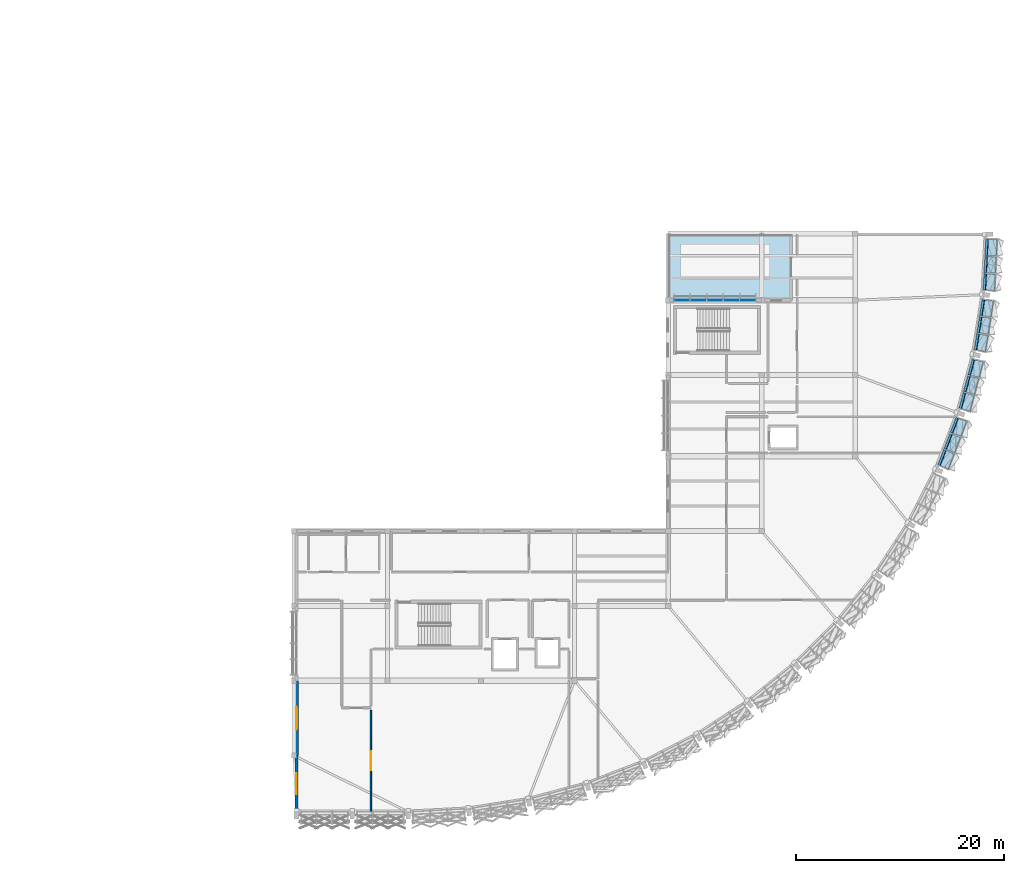
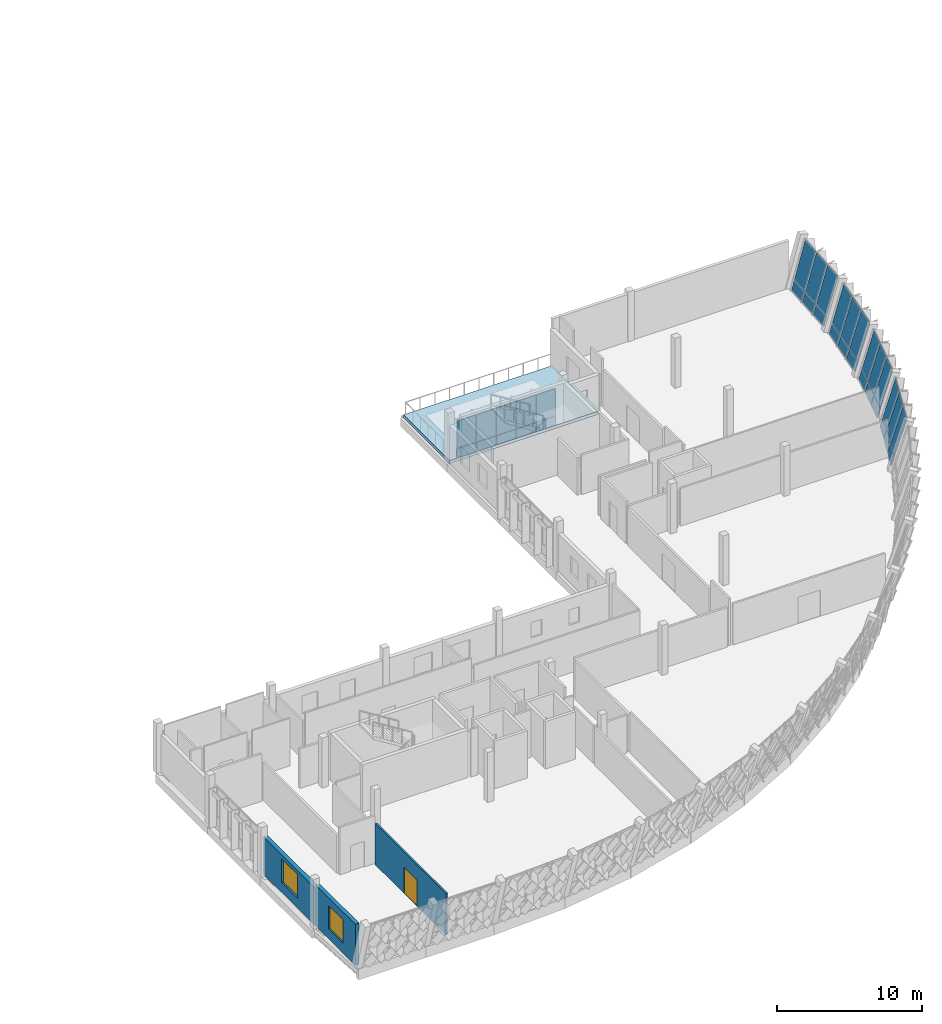
# One storey, part 18 of 24: 34 plates, 3 walls, 2 windows, 1 door, 1 slab, 3 openings, 5 elements without a shape of their own.
"""IFC4 building model written with IfcOpenShell, lengths in metres."""

from ifc_helpers import new_model, si_unit, direction, frame, frame_2d, origin, origin_2d, place, context, subcontext, project, spatial, polyline, rectangle, outline, extrude, material, layer, layer_set, type_object, element, fill, aggregate, save


model = new_model("IFC4")

# Units and contexts
model_context = context("Model", 3, precision=1e-05, world=origin(), true_north=direction((0.0, 1.0)))
body_context = subcontext(model_context, "Body", "Model", "MODEL_VIEW")
ifc_project = project(units=[si_unit("LENGTHUNIT", "METRE"), si_unit("AREAUNIT", "SQUARE_METRE"), si_unit("VOLUMEUNIT", "CUBIC_METRE"), si_unit("PLANEANGLEUNIT", "RADIAN"), si_unit("MASSUNIT", "GRAM", prefix="KILO")], contexts=[model_context])

# Site, building, storey
site_placement = place(None, origin())
site = spatial("IfcSite", under=ifc_project, at=site_placement, CompositionType="ELEMENT")
building_placement = place(site_placement, origin())
building = spatial("IfcBuilding", under=site, at=building_placement, Name="Chiffa Square Polytechnic", CompositionType="ELEMENT")
storey_placement = place(building_placement, frame((0.0, 0.0, 22.199951171875)))
storey = spatial("IfcBuildingStorey", under=building, at=storey_placement, Name="L05", CompositionType="ELEMENT", Elevation=22.199951171875)

# Curtain wall, plates
ifc_material_1 = material(Name="Aluminium EN AW-6060 T66 and glulam shading", Category="wood")
curtain_wall_type_1 = type_object("IfcCurtainWallType", Name="CW-PROW-LEAN-300", PredefinedType="USERDEFINED", material=ifc_material_1)
curtain_wall_1_placement = place(storey_placement, origin())
curtain_wall_1 = element("IfcCurtainWall", 1, at=curtain_wall_1_placement, inside=storey, type_object=curtain_wall_type_1, Name="Outward-leaning diamond-fin prow curtain wall CW-V1-L05-093", ObjectType="CURTAIN WALL", PredefinedType="USERDEFINED")
ifc_material_2 = material(Name="Double glazing", Category="glass")
ifc_layer_1 = layer(ifc_material_2, 0.0458984375, Name="Double glazing")
ifc_layer_set_1 = layer_set([ifc_layer_1], Name="Double glazing")
plate_type_1 = type_object("IfcPlateType", Name="CWP-GLZ-128X106", PredefinedType="CURTAIN_PANEL", material=ifc_layer_set_1)
plate_1_placement = place(storey_placement, frame((177.87060546875, 46.2294921875, 0.8779296875), z_axis=(-0.950444581347, 0.15063878032, 0.271961496635), x_axis=(0.156538512354, 0.9876718555, -1.848901e-06)))
plate_1 = element("IfcPlate", 2, at=plate_1_placement, type_object=plate_type_1, Name="Leaning prow curtain panel CW-V1-L05-093-PN01", PredefinedType="CURTAIN_PANEL", context=body_context, shape_type="SweptSolid", body=[
    extrude(outline(polyline([(0.0, 0.0), (1.540968358738284, -1.3877787807814457e-17), (1.524890400988558, -3.176874036806173), (-0.044013654257015644, -3.176868061747958), (0.0, 0.0)])), origin(), (0.0, 0.0, -1.0), 0.0458984375),
])
plate_2_placement = place(storey_placement, frame((178.130615234375, 47.86962890625, 0.8779296875), z_axis=(-0.950453043267, 0.150564574774, 0.271973015882), x_axis=(0.156456161887, 0.987684903651, -2.2510783e-05)))
plate_2 = element("IfcPlate", 3, at=plate_2_placement, type_object=plate_type_1, Name="Leaning prow curtain panel CW-V1-L05-093-PN02", PredefinedType="CURTAIN_PANEL", context=body_context, shape_type="SweptSolid", body=[
    extrude(outline(polyline([(0.0, 0.0), (1.5409301565295968, 1.3877787807814457e-17), (1.5548992898972505, -3.1769182286232747), (-0.014004758524060246, -3.176845481612743), (0.0, 0.0)])), origin(), (0.0, 0.0, -1.0), 0.0458984375),
])
plate_3_placement = place(storey_placement, frame((178.390380859375, 49.509765625, 0.8779296875), z_axis=(-0.950459713266, 0.150553664643, 0.27195574552), x_axis=(0.156454548585, 0.987685159348, 1.5168399e-05)))
plate_3 = element("IfcPlate", 4, at=plate_3_placement, type_object=plate_type_1, Name="Leaning prow curtain panel CW-V1-L05-093-PN03", PredefinedType="CURTAIN_PANEL", context=body_context, shape_type="SweptSolid", body=[
    extrude(outline(polyline([(0.0, 0.0), (1.5412094879245526, 0.0), (1.58515716698803, -3.1768407556830933), (0.016291315495859805, -3.176889778218799), (0.0, 0.0)])), origin(), (0.0, 0.0, -1.0), 0.0458984375),
])

curtain_wall_type_2 = type_object("IfcCurtainWallType", Name="CW-PROW-LEAN-150", PredefinedType="USERDEFINED", material=ifc_material_1)
curtain_wall_2_placement = place(storey_placement, origin())
curtain_wall_2 = element("IfcCurtainWall", 5, at=curtain_wall_2_placement, inside=storey, type_object=curtain_wall_type_2, Name="Outward-leaning diamond-fin prow curtain wall CW-V1-L05-092", ObjectType="CURTAIN WALL", PredefinedType="USERDEFINED")
ifc_layer_2 = layer(ifc_material_2, 0.0458984375, Name="Double glazing")
ifc_layer_set_2 = layer_set([ifc_layer_2], Name="Double glazing")
plate_type_2 = type_object("IfcPlateType", Name="CWP-GLZ-130X110", PredefinedType="CURTAIN_PANEL", material=ifc_layer_set_2)
plate_4_placement = place(storey_placement, frame((176.40869140625, 40.574951171875, 0.8779296875), z_axis=(-0.92952683329, 0.249051872304, 0.271943065907), x_axis=(0.258803965207, 0.965929866795, -5.190858e-06)))
plate_4 = element("IfcPlate", 6, at=plate_4_placement, type_object=plate_type_2, Name="Leaning prow curtain panel CW-V1-L05-092-PN01", PredefinedType="CURTAIN_PANEL", context=body_context, shape_type="SweptSolid", body=[
    extrude(outline(polyline([(0.0, 0.0), (1.5415263517406312, 1.3877787807814457e-17), (1.5252949104048306, -3.176862139676601), (-0.04430330026412856, -3.176845357819165), (0.0, 0.0)])), origin(), (0.0, 0.0, -1.0), 0.0458984375),
])
plate_5_placement = place(storey_placement, frame((176.838623046875, 42.179443359375, 0.8779296875), z_axis=(-0.929481794347, 0.249231325371, 0.271932602736), x_axis=(0.258989775411, 0.965880063057, -4.733155e-06)))
plate_5 = element("IfcPlate", 7, at=plate_5_placement, type_object=plate_type_2, Name="Leaning prow curtain panel CW-V1-L05-092-PN02", PredefinedType="CURTAIN_PANEL", context=body_context, shape_type="SweptSolid", body=[
    extrude(outline(polyline([(0.0, 0.0), (1.5413537371376778, 1.3877787807814457e-17), (1.5556105184350895, -3.176851802259866), (-0.013815088883645061, -3.1768365018855027), (0.0, 0.0)])), origin(), (0.0, 0.0, -1.0), 0.0458984375),
])
plate_6_placement = place(storey_placement, frame((177.2685546875, 43.78369140625, 0.8779296875), z_axis=(-0.929478168735, 0.249134585526, 0.27203362318), x_axis=(0.25888993261, 0.965906828774, -3.0352781e-05)))
plate_6 = element("IfcPlate", 8, at=plate_6_placement, type_object=plate_type_2, Name="Leaning prow curtain panel CW-V1-L05-092-PN03", PredefinedType="CURTAIN_PANEL", context=body_context, shape_type="SweptSolid", body=[
    extrude(outline(polyline([(0.0, 0.0), (1.5415263424258472, 0.0), (1.5858267229718797, -3.17698843389467), (0.016401127841923286, -3.176890307276314), (0.0, 0.0)])), origin(), (0.0, 0.0, -1.0), 0.0458984375),
])

curtain_wall_3_placement = place(storey_placement, origin())
curtain_wall_3 = element("IfcCurtainWall", 9, at=curtain_wall_3_placement, inside=storey, type_object=curtain_wall_type_1, Name="Outward-leaning diamond-fin prow curtain wall CW-V1-L05-091", ObjectType="CURTAIN WALL", PredefinedType="USERDEFINED")
ifc_layer_3 = layer(ifc_material_2, 0.0439453125, Name="Double glazing")
ifc_layer_set_3 = layer_set([ifc_layer_3], Name="Double glazing")
plate_type_3 = type_object("IfcPlateType", Name="CWP-GLZ-132X114", PredefinedType="CURTAIN_PANEL", material=ifc_layer_set_3)
plate_7_placement = place(storey_placement, frame((174.3642578125, 35.104736328125, 0.8779296875), z_axis=(-0.898458506307, 0.344823194066, 0.271789030828), x_axis=(0.358306389313, 0.933604054753, -1.8061104e-05)))
plate_7 = element("IfcPlate", 10, at=plate_7_placement, type_object=plate_type_3, Name="Leaning prow curtain panel CW-V1-L05-091-PN01", PredefinedType="CURTAIN_PANEL", context=body_context, shape_type="SweptSolid", body=[
    extrude(outline(polyline([(0.0, 0.0), (1.541524647313245, -2.7755575615628914e-17), (1.5250717152323134, -3.1767388831843753), (-0.044515554690726114, -3.176680495158325), (0.0, 0.0)])), origin(), (0.0, 0.0, -1.0), 0.0439453125),
])
plate_8_placement = place(storey_placement, frame((174.95947265625, 36.655517578125, 0.8779296875), z_axis=(-0.898430702524, 0.344870499178, 0.271820918179), x_axis=(0.358358932134, 0.933583887735, -1.7931787e-05)))
plate_8 = element("IfcPlate", 11, at=plate_8_placement, type_object=plate_type_3, Name="Leaning prow curtain panel CW-V1-L05-091-PN02", PredefinedType="CURTAIN_PANEL", context=body_context, shape_type="SweptSolid", body=[
    extrude(outline(polyline([(0.0, 0.0), (1.541296713573406, 0.0), (1.5552692111156092, -3.1767689706670086), (-0.01409013701279296, -3.1767110086501877), (0.0, 0.0)])), origin(), (0.0, 0.0, -1.0), 0.0439453125),
])
plate_9_placement = place(storey_placement, frame((175.554443359375, 38.206298828125, 0.8779296875), z_axis=(-0.898401106337, 0.344876679217, 0.271910882947), x_axis=(0.358369724024, 0.933579744594, -3.7238519e-05)))
plate_9 = element("IfcPlate", 12, at=plate_9_placement, type_object=plate_type_3, Name="Leaning prow curtain panel CW-V1-L05-091-PN03", PredefinedType="CURTAIN_PANEL", context=body_context, shape_type="SweptSolid", body=[
    extrude(outline(polyline([(0.0, 0.0), (1.5415246362607657, -2.7755575615628914e-17), (1.5856840991978318, -3.176885253012189), (0.016009333346100798, -3.176764860455057), (0.0, 0.0)])), origin(), (0.0, 0.0, -1.0), 0.0439453125),
])

curtain_wall_4_placement = place(storey_placement, origin())
curtain_wall_4 = element("IfcCurtainWall", 13, at=curtain_wall_4_placement, inside=storey, type_object=curtain_wall_type_2, Name="Outward-leaning diamond-fin prow curtain wall CW-V1-L05-094", ObjectType="CURTAIN WALL", PredefinedType="USERDEFINED")
ifc_layer_4 = layer(ifc_material_2, 0.035888671875, Name="Double glazing")
ifc_layer_set_4 = layer_set([ifc_layer_4], Name="Double glazing")
plate_type_4 = type_object("IfcPlateType", Name="CWP-GLZ-150X145", PredefinedType="CURTAIN_PANEL", material=ifc_layer_set_4)
plate_10_placement = place(storey_placement, frame((178.7333984375, 52.004638671875, 0.8779296875), z_axis=(-0.960949253896, 0.050369599399, 0.272101883297), x_axis=(0.052350654545, 0.998628764114, 2.1284783e-05)))
plate_10 = element("IfcPlate", 14, at=plate_10_placement, type_object=plate_type_4, Name="Leaning prow curtain panel CW-V1-L05-094-PN01", PredefinedType="CURTAIN_PANEL", context=body_context, shape_type="SweptSolid", body=[
    extrude(outline(polyline([(0.0, 0.0), (1.5414263731427185, -3.469446951953614e-18), (1.5251945839210772, -3.1769683931943256), (-0.04433336664982116, -3.1770372055799965), (0.0, 0.0)])), origin(), (0.0, 0.0, -1.0), 0.035888671875),
])
plate_11_placement = place(storey_placement, frame((178.820556640625, 53.663330078125, 0.8779296875), z_axis=(-0.96097325567, 0.050295338961, 0.272030845246), x_axis=(0.052266491128, 0.998633172844, 3.90458e-07)))
plate_11 = element("IfcPlate", 15, at=plate_11_placement, type_object=plate_type_4, Name="Leaning prow curtain panel CW-V1-L05-094-PN02", PredefinedType="CURTAIN_PANEL", context=body_context, shape_type="SweptSolid", body=[
    extrude(outline(polyline([(0.0, 0.0), (1.5414135978650791, 3.469446951953614e-18), (1.5553537074347523, -3.1769351879422185), (-0.014174249274042464, -3.176936450235629), (0.0, 0.0)])), origin(), (0.0, 0.0, -1.0), 0.035888671875),
])
plate_12_placement = place(storey_placement, frame((178.907470703125, 55.322021484375, 0.8779296875), z_axis=(-0.961008695294, 0.050376673983, 0.271890563071), x_axis=(0.05235444451, 0.99862856545, 2.0194668e-05)))
plate_12 = element("IfcPlate", 16, at=plate_12_placement, type_object=plate_type_4, Name="Leaning prow curtain panel CW-V1-L05-094-PN03", PredefinedType="CURTAIN_PANEL", context=body_context, shape_type="SweptSolid", body=[
    extrude(outline(polyline([(0.0, 0.0), (1.541426373606807, 3.469446951953614e-18), (1.5855423836800766, -3.1767716648743756), (0.016258239398508612, -3.1768369438172113), (0.0, 0.0)])), origin(), (0.0, 0.0, -1.0), 0.035888671875),
])

curtain_wall_type_3 = type_object("IfcCurtainWallType", Name="CW-VERT-300X380", PredefinedType="USERDEFINED", material=ifc_material_1)
curtain_wall_5_placement = place(storey_placement, origin())
curtain_wall_5 = element("IfcCurtainWall", 17, at=curtain_wall_5_placement, inside=storey, type_object=curtain_wall_type_3, Name="Curtain wall CW-V1-L05-139", ObjectType="CURTAIN WALL", PredefinedType="USERDEFINED")
ifc_layer_5 = layer(ifc_material_2, 0.035888671875, Name="Double glazing")
ifc_layer_set_5 = layer_set([ifc_layer_5], Name="Double glazing")
plate_type_5 = type_object("IfcPlateType", Name="CWP-GLZ-180X140", PredefinedType="CURTAIN_PANEL", material=ifc_layer_set_5)
plate_13_placement = place(storey_placement, frame((155.85693359375, 51.0, 0.840576171875), z_axis=(0.0, 0.0, 1.0), x_axis=(-1.0, 0.0, 0.0)))
plate_13 = element("IfcPlate", 18, at=plate_13_placement, type_object=plate_type_5, Name="Glazed curtain panel CW-V1-L05-139-PN01", PredefinedType="CURTAIN_PANEL", context=body_context, shape_type="SweptSolid", body=[
    extrude(rectangle(XDim=1.510009765625, YDim=0.035888671875, at=origin_2d()), origin(), (0.0, 0.0, 1.0), 2.27490234375),
])
plate_14_placement = place(storey_placement, frame((154.283935546875, 51.0, 0.840576171875), z_axis=(0.0, 0.0, 1.0), x_axis=(-1.0, 0.0, 0.0)))
plate_14 = element("IfcPlate", 19, at=plate_14_placement, type_object=plate_type_5, Name="Glazed curtain panel CW-V1-L05-139-PN02", PredefinedType="CURTAIN_PANEL", context=body_context, shape_type="SweptSolid", body=[
    extrude(rectangle(XDim=1.531982421875, YDim=0.035888671875, at=origin_2d()), origin(), (0.0, 0.0, 1.0), 2.27490234375),
])
plate_15_placement = place(storey_placement, frame((152.699951171875, 51.0, 0.840576171875), z_axis=(0.0, 0.0, 1.0), x_axis=(-1.0, 0.0, 0.0)))
plate_15 = element("IfcPlate", 20, at=plate_15_placement, type_object=plate_type_5, Name="Glazed curtain panel CW-V1-L05-139-PN03", PredefinedType="CURTAIN_PANEL", context=body_context, shape_type="SweptSolid", body=[
    extrude(rectangle(XDim=1.531982421875, YDim=0.035888671875, at=origin_2d()), origin(), (0.0, 0.0, 1.0), 2.27490234375),
])
plate_16_placement = place(storey_placement, frame((151.115966796875, 51.0, 0.840576171875), z_axis=(0.0, 0.0, 1.0), x_axis=(-1.0, 0.0, 0.0)))
plate_16 = element("IfcPlate", 21, at=plate_16_placement, type_object=plate_type_5, Name="Glazed curtain panel CW-V1-L05-139-PN04", PredefinedType="CURTAIN_PANEL", context=body_context, shape_type="SweptSolid", body=[
    extrude(rectangle(XDim=1.531982421875, YDim=0.035888671875, at=origin_2d()), origin(), (0.0, 0.0, 1.0), 2.27490234375),
])
plate_17_placement = place(storey_placement, frame((149.54296875, 51.0, 0.840576171875), z_axis=(0.0, 0.0, 1.0), x_axis=(-1.0, 0.0, 0.0)))
plate_17 = element("IfcPlate", 22, at=plate_17_placement, type_object=plate_type_5, Name="Glazed curtain panel CW-V1-L05-139-PN05", PredefinedType="CURTAIN_PANEL", context=body_context, shape_type="SweptSolid", body=[
    extrude(rectangle(XDim=1.510009765625, YDim=0.035888671875, at=origin_2d()), origin(), (0.0, 0.0, 1.0), 2.27490234375),
])

# Plate
ifc_material_3 = material(Name="Aluminium insulated spandrel", Category="aluminium")
ifc_layer_6 = layer(ifc_material_3, 0.072021484375, Name="Aluminium insulated spandrel")
ifc_layer_set_6 = layer_set([ifc_layer_6], Name="Aluminium insulated spandrel")
plate_type_6 = type_object("IfcPlateType", Name="CWP-SPN-136X072", PredefinedType="SHEET", material=ifc_layer_set_6)
plate_18_placement = place(storey_placement, frame((177.64111328125, 46.27783203125, 0.050048828125), z_axis=(-0.950415731213, 0.150697099136, 0.272030002343), x_axis=(0.156606219844, 0.987661121921, 1.2310931e-05)))
plate_18 = element("IfcPlate", 23, at=plate_18_placement, type_object=plate_type_6, Name="Leaning prow curtain panel CW-V1-L05-093-SP01", PredefinedType="SHEET", context=body_context, shape_type="SweptSolid", body=[
    extrude(outline(polyline([(0.0, 0.0), (1.5335815724427557, 0.0), (1.5296209439287602, -0.8022059998229472), (-0.011106282179788816, -0.8022453306399386), (0.0, 0.0)])), origin(), (0.0, 0.0, -1.0), 0.072021484375),
])

plate_19_placement = place(storey_placement, frame((177.89990234375, 47.909912109375, 0.050048828125), z_axis=(-0.950374064161, 0.150626188522, 0.272214785604), x_axis=(0.156534358534, 0.987672513774, -1.1578199e-05)))
plate_19 = element("IfcPlate", 24, at=plate_19_placement, type_object=plate_type_6, Name="Leaning prow curtain panel CW-V1-L05-093-SP02", PredefinedType="SHEET", context=body_context, shape_type="SweptSolid", body=[
    extrude(outline(polyline([(0.0, 0.0), (1.533543347141527, 1.3877787807814457e-17), (1.5370116319711158, -0.8022876291044608), (-0.0034744647256689637, -0.802250640565051), (0.0, 0.0)])), origin(), (0.0, 0.0, -1.0), 0.072021484375),
])

plate_20_placement = place(storey_placement, frame((178.15869140625, 49.5419921875, 0.050048828125), z_axis=(-0.950448730221, 0.15061380023, 0.271960832478), x_axis=(0.156509806732, 0.98767640463, -1.1581167e-05)))
plate_20 = element("IfcPlate", 25, at=plate_20_placement, type_object=plate_type_6, Name="Leaning prow curtain panel CW-V1-L05-093-SP03", PredefinedType="SHEET", context=body_context, shape_type="SweptSolid", body=[
    extrude(outline(polyline([(0.0, 0.0), (1.5337844801625746, -1.3877787807814457e-17), (1.5448752638298258, -0.802227862452442), (0.004148037484805686, -0.8021908613863162), (0.0, 0.0)])), origin(), (0.0, 0.0, -1.0), 0.072021484375),
])

aggregate(curtain_wall_1, [plate_18, plate_1, plate_19, plate_2, plate_20, plate_3])

ifc_layer_7 = layer(ifc_material_3, 0.070068359375, Name="Aluminium insulated spandrel")
ifc_layer_set_7 = layer_set([ifc_layer_7], Name="Aluminium insulated spandrel")
plate_type_7 = type_object("IfcPlateType", Name="CWP-SPN-138X074", PredefinedType="SHEET", material=ifc_layer_set_7)
plate_21_placement = place(storey_placement, frame((176.185791015625, 40.647216796875, 0.050048828125), z_axis=(-0.929501387726, 0.249110039789, 0.271976760573), x_axis=(0.258876650764, 0.965910388584, 3.0262889e-05)))
plate_21 = element("IfcPlate", 26, at=plate_21_placement, type_object=plate_type_7, Name="Leaning prow curtain panel CW-V1-L05-092-SP01", PredefinedType="SHEET", context=body_context, shape_type="SweptSolid", body=[
    extrude(outline(polyline([(0.0, 0.0), (1.5337735714641638, 0.0), (1.5295416577047993, -0.8021649216753303), (-0.01121403065021414, -0.8022616106169984), (0.0, 0.0)])), origin(), (0.0, 0.0, -1.0), 0.070068359375),
])

plate_22_placement = place(storey_placement, frame((176.61376953125, 42.24365234375, 0.050048828125), z_axis=(-0.929501389168, 0.249013154731, 0.272065463272), x_axis=(0.258767685278, 0.965939586331, -2.4776147e-05)))
plate_22 = element("IfcPlate", 27, at=plate_22_placement, type_object=plate_type_7, Name="Leaning prow curtain panel CW-V1-L05-092-SP02", PredefinedType="SHEET", context=body_context, shape_type="SweptSolid", body=[
    extrude(outline(polyline([(0.0, 0.0), (1.5336471920008476, -4.163336342344337e-17), (1.5372905314567025, -0.8022735079586134), (-0.0037641696191237817, -0.8021943424715383), (0.0, 0.0)])), origin(), (0.0, 0.0, -1.0), 0.070068359375),
])

plate_23_placement = place(storey_placement, frame((177.04150390625, 43.840087890625, 0.050048828125), z_axis=(-0.929509028071, 0.24903567268, 0.272018750213), x_axis=(0.25879705814, 0.965931717357, 1.0098509e-05)))
plate_23 = element("IfcPlate", 28, at=plate_23_placement, type_object=plate_type_7, Name="Leaning prow curtain panel CW-V1-L05-092-SP03", PredefinedType="SHEET", context=body_context, shape_type="SweptSolid", body=[
    extrude(outline(polyline([(0.0, 0.0), (1.5337103704730155, -1.3877787807814457e-17), (1.5449042489429574, -0.8022067045468149), (0.004148549492164925, -0.8022389686887934), (0.0, 0.0)])), origin(), (0.0, 0.0, -1.0), 0.070068359375),
])

aggregate(curtain_wall_2, [plate_21, plate_4, plate_22, plate_5, plate_23, plate_6])

ifc_layer_8 = layer(ifc_material_3, 0.068115234375, Name="Aluminium insulated spandrel")
ifc_layer_set_8 = layer_set([ifc_layer_8], Name="Aluminium insulated spandrel")
plate_type_8 = type_object("IfcPlateType", Name="CWP-SPN-140X076", PredefinedType="SHEET", material=ifc_layer_set_8)
plate_24_placement = place(storey_placement, frame((174.150146484375, 35.19970703125, 0.050048828125), z_axis=(-0.898451649392, 0.344817781589, 0.271818563027), x_axis=(0.358305365038, 0.93360444795, -1.2392161e-05)))
plate_24 = element("IfcPlate", 29, at=plate_24_placement, type_object=plate_type_8, Name="Leaning prow curtain panel CW-V1-L05-091-SP01", PredefinedType="SHEET", context=body_context, shape_type="SweptSolid", body=[
    extrude(outline(polyline([(0.0, 0.0), (1.5339524092708348, 0.0), (1.529788972681001, -0.8021954622553815), (-0.011279813325688122, -0.8021558652109549), (0.0, 0.0)])), origin(), (0.0, 0.0, -1.0), 0.068115234375),
])

plate_25_placement = place(storey_placement, frame((174.742431640625, 36.742919921875, 0.050048828125), z_axis=(-0.898467668623, 0.344882588117, 0.271683361385), x_axis=(0.358358502245, 0.933584052839, -1.2353812e-05)))
plate_25 = element("IfcPlate", 30, at=plate_25_placement, type_object=plate_type_8, Name="Leaning prow curtain panel CW-V1-L05-091-SP02", PredefinedType="SHEET", context=body_context, shape_type="SweptSolid", body=[
    extrude(outline(polyline([(0.0, 0.0), (1.533724477162299, -2.7755575615628914e-17), (1.5373736471969732, -0.8021636755457846), (-0.0034672149632164525, -0.8021242084568493), (0.0, 0.0)])), origin(), (0.0, 0.0, -1.0), 0.068115234375),
])

plate_26_placement = place(storey_placement, frame((175.334716796875, 38.2861328125, 0.050048828125), z_axis=(-0.898454626936, 0.344695426272, 0.271963869741), x_axis=(0.35819544882, 0.933646625024, -5.011919e-06)))
plate_26 = element("IfcPlate", 31, at=plate_26_placement, type_object=plate_type_8, Name="Leaning prow curtain panel CW-V1-L05-091-SP03", PredefinedType="SHEET", context=body_context, shape_type="SweptSolid", body=[
    extrude(outline(polyline([(0.0, 0.0), (1.5336370155305947, 2.7755575615628914e-17), (1.5449134716163648, -0.802218032006881), (0.003932155441799373, -0.8022020186874512), (0.0, 0.0)])), origin(), (0.0, 0.0, -1.0), 0.068115234375),
])

aggregate(curtain_wall_3, [plate_24, plate_7, plate_25, plate_8, plate_26, plate_9])

plate_27_placement = place(storey_placement, frame((155.85693359375, 51.0, 0.050048828125), z_axis=(0.0, 0.0, 1.0), x_axis=(-1.0, 0.0, 0.0)))
plate_27 = element("IfcPlate", 32, at=plate_27_placement, type_object=plate_type_8, Name="Spandrel panel CW-V1-L05-139-SP01", PredefinedType="SHEET", context=body_context, shape_type="SweptSolid", body=[
    extrude(rectangle(XDim=1.510009765625, YDim=0.068115234375, at=origin_2d()), origin(), (0.0, 0.0, 1.0), 0.75),
])

plate_28_placement = place(storey_placement, frame((154.283935546875, 51.0, 0.050048828125), z_axis=(0.0, 0.0, 1.0), x_axis=(-1.0, 0.0, 0.0)))
plate_28 = element("IfcPlate", 33, at=plate_28_placement, type_object=plate_type_8, Name="Spandrel panel CW-V1-L05-139-SP02", PredefinedType="SHEET", context=body_context, shape_type="SweptSolid", body=[
    extrude(rectangle(XDim=1.531982421875, YDim=0.068115234375, at=origin_2d()), origin(), (0.0, 0.0, 1.0), 0.75),
])

plate_29_placement = place(storey_placement, frame((152.699951171875, 51.0, 0.050048828125), z_axis=(0.0, 0.0, 1.0), x_axis=(-1.0, 0.0, 0.0)))
plate_29 = element("IfcPlate", 34, at=plate_29_placement, type_object=plate_type_8, Name="Spandrel panel CW-V1-L05-139-SP03", PredefinedType="SHEET", context=body_context, shape_type="SweptSolid", body=[
    extrude(rectangle(XDim=1.531982421875, YDim=0.068115234375, at=origin_2d()), origin(), (0.0, 0.0, 1.0), 0.75),
])

plate_30_placement = place(storey_placement, frame((151.115966796875, 51.0, 0.050048828125), z_axis=(0.0, 0.0, 1.0), x_axis=(-1.0, 0.0, 0.0)))
plate_30 = element("IfcPlate", 35, at=plate_30_placement, type_object=plate_type_8, Name="Spandrel panel CW-V1-L05-139-SP04", PredefinedType="SHEET", context=body_context, shape_type="SweptSolid", body=[
    extrude(rectangle(XDim=1.531982421875, YDim=0.068115234375, at=origin_2d()), origin(), (0.0, 0.0, 1.0), 0.75),
])

plate_31_placement = place(storey_placement, frame((149.54296875, 51.0, 0.050048828125), z_axis=(0.0, 0.0, 1.0), x_axis=(-1.0, 0.0, 0.0)))
plate_31 = element("IfcPlate", 36, at=plate_31_placement, type_object=plate_type_8, Name="Spandrel panel CW-V1-L05-139-SP05", PredefinedType="SHEET", context=body_context, shape_type="SweptSolid", body=[
    extrude(rectangle(XDim=1.510009765625, YDim=0.068115234375, at=origin_2d()), origin(), (0.0, 0.0, 1.0), 0.75),
])

aggregate(curtain_wall_5, [plate_27, plate_13, plate_28, plate_14, plate_29, plate_15, plate_30, plate_16, plate_31, plate_17])

ifc_layer_9 = layer(ifc_material_3, 0.06005859375, Name="Aluminium insulated spandrel")
ifc_layer_set_9 = layer_set([ifc_layer_9], Name="Aluminium insulated spandrel")
plate_type_9 = type_object("IfcPlateType", Name="CWP-SPN-150X095", PredefinedType="SHEET", material=ifc_layer_set_9)
plate_32_placement = place(storey_placement, frame((178.500244140625, 52.02880859375, 0.050048828125), z_axis=(-0.960933418464, 0.050350252267, 0.272161381123), x_axis=(0.052328507465, 0.998629925042, 1.0813121e-05)))
plate_32 = element("IfcPlate", 37, at=plate_32_placement, type_object=plate_type_9, Name="Leaning prow curtain panel CW-V1-L05-094-SP01", PredefinedType="SHEET", context=body_context, shape_type="SweptSolid", body=[
    extrude(outline(polyline([(0.0, 0.0), (1.5338428292651443, 3.469446951953614e-18), (1.529887149204079, -0.8022393481965845), (-0.011038833462843668, -0.8022739003308264), (0.0, 0.0)])), origin(), (0.0, 0.0, -1.0), 0.06005859375),
])

plate_33_placement = place(storey_placement, frame((178.5869140625, 53.679443359375, 0.050048828125), z_axis=(-0.960935134489, 0.050426746344, 0.27214115925), x_axis=(0.052401826028, 0.998626080437, -9.951851e-06)))
plate_33 = element("IfcPlate", 38, at=plate_33_placement, type_object=plate_type_9, Name="Leaning prow curtain panel CW-V1-L05-094-SP02", PredefinedType="SHEET", context=body_context, shape_type="SweptSolid", body=[
    extrude(outline(polyline([(0.0, 0.0), (1.5338428294501611, 3.469446951953614e-18), (1.537226888059114, -0.8022676700009262), (-0.0037118788873222058, -0.8022358700168725), (0.0, 0.0)])), origin(), (0.0, 0.0, -1.0), 0.06005859375),
])

plate_34_placement = place(storey_placement, frame((178.673583984375, 55.329833984375, 0.050048828125), z_axis=(-0.960989101168, 0.050429578339, 0.271950004715), x_axis=(0.052401829975, 0.99862608023, -9.945419e-06)))
plate_34 = element("IfcPlate", 39, at=plate_34_placement, type_object=plate_type_9, Name="Leaning prow curtain panel CW-V1-L05-094-SP03", PredefinedType="SHEET", context=body_context, shape_type="SweptSolid", body=[
    extrude(outline(polyline([(0.0, 0.0), (1.5338428294500461, 3.469446951953614e-18), (1.545041453554636, -0.8022226871980014), (0.004102686607853441, -0.8021909095505585), (0.0, 0.0)])), origin(), (0.0, 0.0, -1.0), 0.06005859375),
])

aggregate(curtain_wall_4, [plate_32, plate_10, plate_33, plate_11, plate_34, plate_12])

# Slab
ifc_material_4 = material(Name="Concrete C40/50", Category="concrete")
ifc_layer_10 = layer(ifc_material_4, 0.260009765625, Name="Concrete C40/50")
ifc_layer_set_10 = layer_set([ifc_layer_10], Name="Concrete C40/50")
slab_type = type_object("IfcSlabType", Name="SLB-TERR-260", PredefinedType="FLOOR", material=ifc_layer_set_10)
slab_placement = place(storey_placement, frame((0.0, 0.0, -0.260009765625)))
element("IfcSlab", 40, at=slab_placement, inside=storey, type_object=slab_type, Name="Faculty courtyard planted terrace slab SLB-V1-TERR-L05-1", PredefinedType="FLOOR", context=body_context, shape_type="SweptSolid", body=[
    extrude(outline(polyline([(148.199951171875, 51.0), (160.0, 51.0), (160.0, 57.35009765625), (148.199951171875, 57.35009765625), (148.199951171875, 51.0)])), origin(), (0.0, 0.0, 1.0), 0.260009765625),
])

# Wall, opening, window
ifc_material_5 = material(Name="Precast concrete C40/50", Category="concrete")
ifc_layer_11 = layer(ifc_material_5, 0.300048828125, Name="Precast concrete C40/50")
ifc_layer_set_11 = layer_set([ifc_layer_11], Name="Precast concrete C40/50")
wall_type_1 = type_object("IfcWallType", Name="WL-EXT-PC300", PredefinedType="SOLIDWALL", material=ifc_layer_set_11)
wall_1_placement = place(storey_placement, frame((112.449951171875, 7.199951171875, 0.0), z_axis=(0.0, 0.0, 1.0), x_axis=(0.0, -1.0, 0.0)))
wall_1 = element("IfcWall", 41, at=wall_1_placement, inside=storey, type_object=wall_type_1, Name="Exterior wall WE-V1-L05-0086", PredefinedType="SOLIDWALL", context=body_context, shape_type="SweptSolid", body=[
    extrude(rectangle(XDim=5.4150390625, YDim=0.300048828125, at=frame_2d((2.70751953125, 0.0))), origin(), (0.0, 0.0, 1.0), 3.465087890625),
])
opening_1_placement = place(wall_1_placement, frame((1.7080078125, 0.0, 0.85009765625)))
opening_1 = element("IfcOpeningElement", 42, at=opening_1_placement, cuts=wall_1, Name="Opening W-12", PredefinedType="OPENING", context=body_context, shape_type="SweptSolid", body=[
    extrude(rectangle(XDim=2.0, YDim=1.949951171875, at=frame_2d((1.0, 0.97509765625))), frame((0.0, 0.16015625, 0.0), z_axis=(0.0, -1.0, 0.0), x_axis=(1.0, 0.0, 0.0)), (0.0, 0.0, 1.0), 0.320068359375),
])
ifc_material_6 = material(Name="Double glazing in thermally broken aluminium frame", Category="aluminium")
window_type_1 = type_object("IfcWindowType", Name="WIN-STD-2000X1950", PartitioningType="DOUBLE_PANEL_VERTICAL", PredefinedType="WINDOW", material=ifc_material_6)
window_1_placement = place(opening_1_placement, origin())
window_1 = element("IfcWindow", 43, at=window_1_placement, inside=storey, type_object=window_type_1, Name="Facade window WN-L05-0088", OverallHeight=1.949951171875, OverallWidth=2.0, PartitioningType="DOUBLE_PANEL_VERTICAL", PredefinedType="WINDOW", context=body_context, shape_type="SweptSolid", body=[
    extrude(rectangle(XDim=2.0, YDim=1.949951171875, at=frame_2d((1.0, 0.97509765625))), frame((0.0, 0.030029296875, 0.0), z_axis=(0.0, -1.0, 0.0), x_axis=(1.0, 0.0, 0.0)), (0.0, 0.0, 1.0), 0.06005859375),
])
fill(opening_1, window_1)

ifc_layer_12 = layer(ifc_material_5, 0.340087890625, Name="Precast concrete C40/50")
ifc_layer_set_12 = layer_set([ifc_layer_12], Name="Precast concrete C40/50")
wall_type_2 = type_object("IfcWallType", Name="WL-EXT-PC340", PredefinedType="SOLIDWALL", material=ifc_layer_set_12)
wall_2_placement = place(storey_placement, frame((112.449951171875, 14.39990234375, 0.0), z_axis=(0.0, 0.0, 1.0), x_axis=(0.0, -1.0, 0.0)))
wall_2 = element("IfcWall", 44, at=wall_2_placement, inside=storey, type_object=wall_type_2, Name="Exterior wall WE-V1-L05-0085", PredefinedType="SOLIDWALL", context=body_context, shape_type="SweptSolid", body=[
    extrude(rectangle(XDim=7.199951171875, YDim=0.340087890625, at=frame_2d((3.60009765625, 0.0))), origin(), (0.0, 0.0, 1.0), 3.1650390625),
])
opening_2_placement = place(wall_2_placement, frame((2.5, 0.0, 0.85009765625)))
opening_2 = element("IfcOpeningElement", 45, at=opening_2_placement, cuts=wall_2, Name="Opening W-11", PredefinedType="OPENING", context=body_context, shape_type="SweptSolid", body=[
    extrude(rectangle(XDim=2.199951171875, YDim=2.0, at=frame_2d((1.10009765625, 1.0))), frame((0.0, 0.18017578125, 0.0), z_axis=(0.0, -1.0, 0.0), x_axis=(1.0, 0.0, 0.0)), (0.0, 0.0, 1.0), 0.360107421875),
])
window_type_2 = type_object("IfcWindowType", Name="WIN-STD-2200X2000", PartitioningType="DOUBLE_PANEL_VERTICAL", PredefinedType="WINDOW", material=ifc_material_6)
window_2_placement = place(opening_2_placement, origin())
window_2 = element("IfcWindow", 46, at=window_2_placement, inside=storey, type_object=window_type_2, Name="Facade window WN-L05-0087", OverallHeight=2.0, OverallWidth=2.199951171875, PartitioningType="DOUBLE_PANEL_VERTICAL", PredefinedType="WINDOW", context=body_context, shape_type="SweptSolid", body=[
    extrude(rectangle(XDim=2.199951171875, YDim=2.0, at=frame_2d((1.10009765625, 1.0))), frame((0.0, 0.030029296875, 0.0), z_axis=(0.0, -1.0, 0.0), x_axis=(1.0, 0.0, 0.0)), (0.0, 0.0, 1.0), 0.06005859375),
])
fill(opening_2, window_2)

# Wall, opening, door
ifc_material_7 = material(Name="Gypsum board on steel stud", Category="steel")
ifc_layer_13 = layer(ifc_material_7, 0.14501953125, Name="Gypsum board on steel stud")
ifc_layer_set_13 = layer_set([ifc_layer_13], Name="Gypsum board on steel stud")
wall_type_3 = type_object("IfcWallType", Name="WL-PART-145", PredefinedType="PARTITIONING", material=ifc_layer_set_13)
wall_3_placement = place(storey_placement, frame((119.60009765625, 1.840087890625, 0.0), z_axis=(0.0, 0.0, 1.0), x_axis=(0.0, 1.0, 0.0)))
wall_3 = element("IfcWall", 47, at=wall_3_placement, inside=storey, type_object=wall_type_3, Name="Interior partition WP-V1-L05-0684", PredefinedType="PARTITIONING", context=body_context, shape_type="SweptSolid", body=[
    extrude(rectangle(XDim=9.739990234375, YDim=0.14501953125, at=frame_2d((4.8701171875, 0.0))), origin(), (0.0, 0.0, 1.0), 3.465087890625),
])
opening_3_placement = place(wall_3_placement, frame((3.969970703125, 0.0, 0.0)))
opening_3 = element("IfcOpeningElement", 48, at=opening_3_placement, cuts=wall_3, Name="Opening DI-L05-236", PredefinedType="OPENING", context=body_context, shape_type="SweptSolid", body=[
    extrude(rectangle(XDim=1.800048828125, YDim=2.199951171875, at=frame_2d((0.89990234375, 1.10009765625))), frame((0.0, 0.08251953125, 0.0), z_axis=(0.0, -1.0, 0.0), x_axis=(1.0, 0.0, 0.0)), (0.0, 0.0, 1.0), 0.1650390625),
])
ifc_material_8 = material(Name="Solid oak fire door pair")
door_type = type_object("IfcDoorType", Name="DR-CORR-DBL-1800", OperationType="DOUBLE_DOOR_SINGLE_SWING", PredefinedType="DOOR", material=ifc_material_8)
door_placement = place(opening_3_placement, origin())
door = element("IfcDoor", 49, at=door_placement, inside=storey, type_object=door_type, Name="Interior room door DI-L05-236", OperationType="DOUBLE_DOOR_SINGLE_SWING", OverallHeight=2.199951171875, OverallWidth=1.800048828125, PredefinedType="DOOR", context=body_context, shape_type="SweptSolid", body=[
    extrude(rectangle(XDim=1.800048828125, YDim=2.199951171875, at=frame_2d((0.89990234375, 1.10009765625))), frame((0.0, 0.02490234375, 0.0), z_axis=(0.0, -1.0, 0.0), x_axis=(1.0, 0.0, 0.0)), (0.0, 0.0, 1.0), 0.050048828125),
])
fill(opening_3, door)

save(model, "model.ifc")
